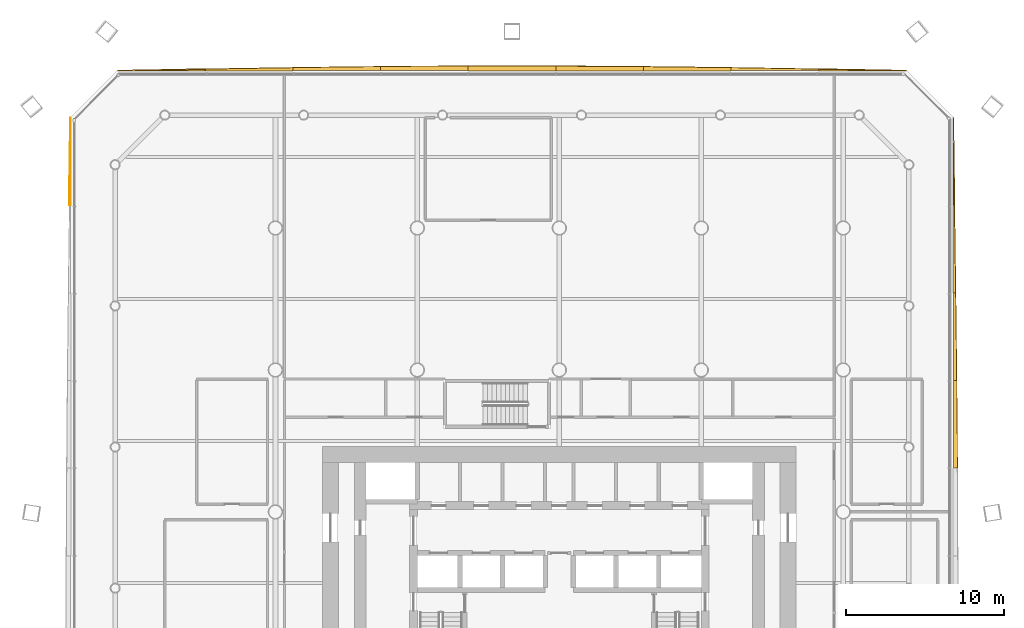
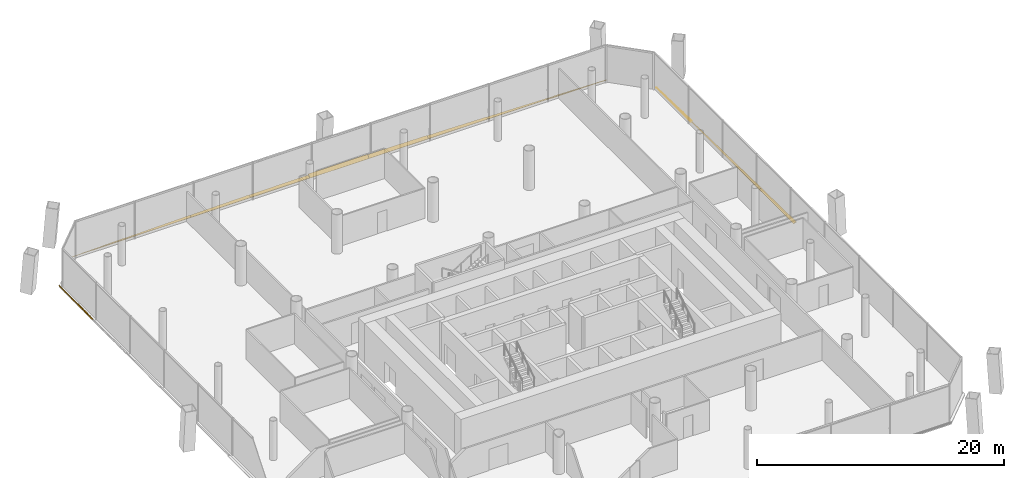
# One storey, part 22 of 22: 14 shading devices.
"""IFC4 building model written with IfcOpenShell, lengths in metres."""

from ifc_helpers import new_model, si_unit, direction, frame, origin, place, context, subcontext, project, spatial, polyline, outline, extrude, material, layer, layer_set, type_object, element, save


model = new_model("IFC4")

# Units and contexts
model_context = context("Model", 3, precision=1e-05, world=origin(), true_north=direction((0.0, 1.0)))
body_context = subcontext(model_context, "Body", "Model", "MODEL_VIEW")
ifc_project = project(units=[si_unit("LENGTHUNIT", "METRE"), si_unit("AREAUNIT", "SQUARE_METRE"), si_unit("VOLUMEUNIT", "CUBIC_METRE"), si_unit("PLANEANGLEUNIT", "RADIAN"), si_unit("MASSUNIT", "GRAM", prefix="KILO")], contexts=[model_context])

# Site, building, storey
site_placement = place(None, origin())
site = spatial("IfcSite", under=ifc_project, at=site_placement, CompositionType="ELEMENT")
building_placement = place(site_placement, origin())
building = spatial("IfcBuilding", under=site, at=building_placement, Name="Tskaro Facet Tower", CompositionType="ELEMENT")
storey_placement = place(building_placement, frame((0.0, 0.0, 18.60009765625)))
storey = spatial("IfcBuildingStorey", under=building, at=storey_placement, Name="L03", CompositionType="ELEMENT", Elevation=18.60009765625)

# Shading devices
ifc_material = material(Name="Bronze anodised aluminium 6063-T6", Category="aluminium")
ifc_layer = layer(ifc_material, 0.06005859375, Name="Bronze anodised aluminium 6063-T6")
ifc_layer_set = layer_set([ifc_layer], Name="Bronze anodised aluminium 6063-T6")
shading_device_type = type_object("IfcShadingDeviceType", Name="Bronze sun blade (FN1)", PredefinedType="USERDEFINED", material=ifc_layer_set)
shading_device_1_placement = place(storey_placement, frame((24.9794921875, 2.77783203125, 0.056396484375), z_axis=(-0.341681059186, 1.0127008e-05, 0.939815967991), x_axis=(3.460207e-06, 0.999999999949, -9.517524e-06)))
element("IfcShadingDevice", 1, at=shading_device_1_placement, inside=storey, type_object=shading_device_type, Name="Fin blade east 6", ObjectType="FIN", PredefinedType="USERDEFINED", context=body_context, shape_type="SweptSolid", body=[
    extrude(outline(polyline([(0.0, 0.0), (5.555419921590128, 0.0), (5.555419921858822, -0.23015093963533023), (4.861083984812042, -0.23740964512779464), (4.166503906295498, -0.244438903362437), (3.472167967559163, -0.2512387143392573), (2.7778320303016653, -0.2577256598309109), (2.083251953898018, -0.26389973983739773), (1.3889160149509663, -0.2699277908134072), (0.6943359383366018, -0.27533011081908315), (-8.211666044209773e-10, -0.28058640179428174), (0.0, 0.0)])), origin(), (0.0, 0.0, -1.0), 0.06005859375),
])
shading_device_2_placement = place(storey_placement, frame((24.974609375, 8.333251953125, 0.05419921875), z_axis=(-0.422999389083, 1.9649989e-05, 0.906129966643), x_axis=(8.311933e-06, 0.999999999807, -1.7805444e-05)))
element("IfcShadingDevice", 2, at=shading_device_2_placement, inside=storey, type_object=shading_device_type, Name="Fin blade east 7", ObjectType="FIN", PredefinedType="USERDEFINED", context=body_context, shape_type="SweptSolid", body=[
    extrude(outline(polyline([(0.0, 0.0), (5.555664061427418, 4.7058305048141744e-21), (5.555664064164483, -0.1694078540415093), (4.861083983298853, -0.17890627651573873), (4.166748045375927, -0.18808020451829252), (3.4724121118000335, -0.19715086118560093), (2.7778320291935943, -0.2058823429152943), (2.0834960915591396, -0.21451055330974228), (1.3889160156174838, -0.22281426923251466), (0.6945800782715003, -0.23089676201885678), (-1.7287167474406172e-09, -0.23875803166876872), (0.0, 0.0)])), origin(), (0.0, 0.0, -1.0), 0.06005859375),
])
shading_device_3_placement = place(storey_placement, frame((24.969970703125, 13.888916015625, 0.0517578125), z_axis=(-0.500330153553, -1.9680916e-05, 0.86583470539), x_axis=(-9.846956e-06, 0.999999999806, 1.704042e-05)))
element("IfcShadingDevice", 3, at=shading_device_3_placement, inside=storey, type_object=shading_device_type, Name="Fin blade east 8", ObjectType="FIN", PredefinedType="USERDEFINED", context=body_context, shape_type="SweptSolid", body=[
    extrude(outline(polyline([(0.0, 0.0), (5.555419920799086, 0.0), (5.555419923370335, -0.0919981721317703), (4.8610839813688225, -0.10314090933944052), (4.166748045931613, -0.11419441203736744), (3.47216796570919, -0.125125763818876), (2.7778320326760215, -0.13596788109064126), (2.0832519531014237, -0.14635431110340813), (1.388916015907996, -0.15707427745875502), (0.6943359387374407, -0.16724932204536025), (-1.96842089531271e-09, -0.1773022157155471), (0.0, 0.0)])), origin(), (0.0, 0.0, -1.0), 0.06005859375),
])
shading_device_4_placement = place(storey_placement, frame((24.965576171875, 19.4443359375, 0.049072265625), z_axis=(-0.573294676561, -3.622461e-06, 0.819349262411), x_axis=(-2.076738e-06, 0.999999999993, 2.968061e-06)))
element("IfcShadingDevice", 4, at=shading_device_4_placement, inside=storey, type_object=shading_device_type, Name="Fin blade east 9", ObjectType="FIN", PredefinedType="USERDEFINED", context=body_context, shape_type="SweptSolid", body=[
    extrude(outline(polyline([(0.0, 0.0), (5.555664062463549, 1.1764576262035436e-21), (4.861328125194549, -0.012260465180531185), (4.166748047300553, -0.02452093036106237), (3.472412108799913, -0.036841467461967425), (2.7778320309059152, -0.04910193264249861), (2.083496094143932, -0.06116236138201018), (1.3889160155253104, -0.0732828620418956), (0.694580078038703, -0.08520332626076144), (-7.290267854585699e-11, -0.09712379047962724), (0.0, 0.0)])), origin(), (0.0, 0.0, -1.0), 0.06005859375),
])
shading_device_5_placement = place(storey_placement, frame((22.0, 27.9794921875, 0.056396484375), z_axis=(3.7690227e-05, -0.340474905356, 0.940253602706), x_axis=(-0.99999999929, -1.2832576e-05, 3.5438371e-05)))
element("IfcShadingDevice", 5, at=shading_device_5_placement, inside=storey, type_object=shading_device_type, Name="Fin blade north 1", ObjectType="FIN", PredefinedType="USERDEFINED", context=body_context, shape_type="SweptSolid", body=[
    extrude(outline(polyline([(0.0, 0.0), (5.555664058553941, 0.0), (5.555664066461353, -0.10913065770840528), (4.861083984223334, -0.0958440471179652), (4.166748042610141, -0.08255743652752512), (3.4721679635050755, -0.06904127183469877), (2.7778320281577895, -0.055295553039486176), (2.083251952185677, -0.04154983424427358), (1.3889160168383914, -0.02780411544906098), (0.6943359322143327, -0.013975272897598853), (0.0, 0.0)])), origin(), (0.0, 0.0, -1.0), 0.06005859375),
])
shading_device_6_placement = place(storey_placement, frame((16.4443359375, 27.974609375, 0.05419921875), z_axis=(7.003408e-06, -0.422961528258, 0.906147640048), x_axis=(-0.999999999975, -2.962172e-06, 6.346121e-06)))
element("IfcShadingDevice", 6, at=shading_device_6_placement, inside=storey, type_object=shading_device_type, Name="Fin blade north 2", ObjectType="FIN", PredefinedType="USERDEFINED", context=body_context, shape_type="SweptSolid", body=[
    extrude(outline(polyline([(0.0, 0.0), (5.55541992173876, 2.352811854830518e-21), (5.555419922130088, -0.21287339833655433), (4.86108398403403, -0.2015166035493674), (4.166503906036163, -0.18993858131099134), (3.472167968560319, -0.1778148420783749), (2.777587890459479, -0.16569110284575844), (2.0832519528806612, -0.1530216466189015), (1.3886718745738762, -0.13980647339780417), (0.6943359384414312, -0.12669456226856912), (-6.651941117578467e-11, -0.1131548995044204), (0.0, 0.0)])), origin(), (0.0, 0.0, -1.0), 0.06005859375),
])
shading_device_7_placement = place(storey_placement, frame((10.888916015625, 27.969970703125, 0.0517578125), z_axis=(1.2048123e-05, -0.500309371377, 0.86584671436), x_axis=(-0.999999999927, -6.027789e-06, 1.0431828e-05)))
element("IfcShadingDevice", 7, at=shading_device_7_placement, inside=storey, type_object=shading_device_type, Name="Fin blade north 3", ObjectType="FIN", PredefinedType="USERDEFINED", context=body_context, shape_type="SweptSolid", body=[
    extrude(outline(polyline([(0.0, 0.0), (5.555664062096778, 0.0), (5.555664062586698, -0.3000369061436989), (4.86108398496837, -0.29216369863724395), (4.16674804689982, -0.28395695693014555), (3.4721679675275063, -0.27487175846374695), (2.777832031723431, -0.2653637832813217), (2.0832519516723362, -0.2554001280556229), (1.3889160151894793, -0.24501369611389745), (0.6945800791030458, -0.23408234161351524), (-1.2304075960295158e-09, -0.22269530706985946), (0.0, 0.0)])), origin(), (0.0, 0.0, -1.0), 0.06005859375),
])
shading_device_8_placement = place(storey_placement, frame((5.333251953125, 27.965576171875, 0.049072265625), z_axis=(-3.933017e-06, -0.573522164145, 0.819190043408), x_axis=(-0.999999999992, 2.255672e-06, -3.221888e-06)))
element("IfcShadingDevice", 8, at=shading_device_8_placement, inside=storey, type_object=shading_device_type, Name="Fin blade north 4", ObjectType="FIN", PredefinedType="USERDEFINED", context=body_context, shape_type="SweptSolid", body=[
    extrude(outline(polyline([(0.0, 0.0), (5.555419921832033, 0.0), (5.555419921935593, -0.3605940492104593), (4.861083984440108, -0.357613933101282), (4.166503906240707, -0.3537537841653121), (3.4721679683514974, -0.3493536200313494), (2.777587891095668, -0.34413340058018055), (2.083251952812732, -0.33831318842143254), (1.3889160155522828, -0.3320129385742781), (0.6943359375879198, -0.3248326559003311), (-6.62541371378009e-11, -0.31711235802839133), (0.0, 0.0)])), origin(), (0.0, 0.0, -1.0), 0.06005859375),
])
shading_device_9_placement = place(storey_placement, frame((-0.22216796875, 27.96142578125, 0.0458984375), z_axis=(0.0, -0.64271610513, 0.76610443688), x_axis=(-1.0, 0.0, 0.0)))
element("IfcShadingDevice", 9, at=shading_device_9_placement, inside=storey, type_object=shading_device_type, Name="Fin blade north 5", ObjectType="FIN", PredefinedType="USERDEFINED", context=body_context, shape_type="SweptSolid", body=[
    extrude(outline(polyline([(0.0, 0.0), (5.5556640625, 0.0), (5.5556640625, -0.3855818396804682), (4.861083984375, -0.3881765291899766), (4.166748046875, -0.3900833180442069), (3.47216796875, -0.3913022062431591), (2.77783203125, -0.39164615657079815), (2.77783203125, -0.39164615657079815), (2.08349609375, -0.3913022062431591), (1.388916015625, -0.3900833180442069), (0.694580078125, -0.3881765291899766), (0.0, -0.3855818396804682), (0.0, 0.0)])), origin(), (0.0, 0.0, -1.0), 0.06005859375),
])
shading_device_10_placement = place(storey_placement, frame((-5.77783203125, 27.9794921875, 0.056396484375), z_axis=(1.510024e-06, -0.341714318272, 0.939803875649), x_axis=(-0.999999999999, -5.15997e-07, 1.419127e-06)))
element("IfcShadingDevice", 10, at=shading_device_10_placement, inside=storey, type_object=shading_device_type, Name="Fin blade north 6", ObjectType="FIN", PredefinedType="USERDEFINED", context=body_context, shape_type="SweptSolid", body=[
    extrude(outline(polyline([(0.0, 0.0), (5.555419921868666, 0.0), (5.55541992191293, -0.2764147375155055), (4.861083984256548, -0.2831311265856626), (4.166503906227119, -0.2893886270446623), (3.47216796885415, -0.2948743682396913), (2.7778320312606914, -0.3000472387819071), (2.083251953073693, -0.3044483500601523), (1.3889160157636462, -0.30839057272724), (0.6943359373876185, -0.3117070540887013), (1.4517828236927513e-11, -0.3143352025334265), (0.0, 0.0)])), origin(), (0.0, 0.0, -1.0), 0.06005859375),
])
shading_device_11_placement = place(storey_placement, frame((-11.333251953125, 27.974609375, 0.05419921875), z_axis=(-3.359465e-06, -0.423004656629, 0.906127507837), x_axis=(-0.999999999994, 1.421069e-06, -3.044103e-06)))
element("IfcShadingDevice", 11, at=shading_device_11_placement, inside=storey, type_object=shading_device_type, Name="Fin blade north 7", ObjectType="FIN", PredefinedType="USERDEFINED", context=body_context, shape_type="SweptSolid", body=[
    extrude(outline(polyline([(0.0, 0.0), (5.55566406246865, 0.0), (5.555664062314971, -0.21287340075494454), (4.861083984694113, -0.22358120938117734), (4.166748046608121, -0.23417106809256377), (3.4724121093146287, -0.24411193648926588), (2.777832031445445, -0.25350708719253157), (2.0834960938543188, -0.26268101535970295), (1.3889160156875018, -0.271309225833438), (0.6945800778480506, -0.27917049607764227), (-2.201505283525234e-10, -0.28670727116450434), (0.0, 0.0)])), origin(), (0.0, 0.0, -1.0), 0.06005859375),
])
shading_device_12_placement = place(storey_placement, frame((-16.888916015625, 27.969970703125, 0.0517578125), z_axis=(1.5998487e-05, -0.500299714472, 0.865852294242), x_axis=(-0.999999999872, -8.004039e-06, 1.3852327e-05)))
element("IfcShadingDevice", 12, at=shading_device_12_placement, inside=storey, type_object=shading_device_type, Name="Fin blade north 8", ObjectType="FIN", PredefinedType="USERDEFINED", context=body_context, shape_type="SweptSolid", body=[
    extrude(outline(polyline([(0.0, 0.0), (5.555419921164041, 0.0), (5.555419922242953, -0.1184645493799383), (4.861083985201818, -0.13257619645981147), (4.166748046732879, -0.1463543103343897), (3.4721679676389705, -0.1601324242089679), (2.777832029696337, -0.17336561515795024), (2.0832519550369573, -0.18617602666633074), (1.3889160142387147, -0.19874215120472316), (0.6943359367237252, -0.21088549630251374), (-1.5941002820749943e-09, -0.22269530819500935), (0.0, 0.0)])), origin(), (0.0, 0.0, -1.0), 0.06005859375),
])
shading_device_13_placement = place(storey_placement, frame((-22.4443359375, 27.965576171875, 0.049072265625), z_axis=(-5.51327e-06, -0.573268017483, 0.819367914982), x_axis=(-0.999999999985, 3.160581e-06, -4.517396e-06)))
element("IfcShadingDevice", 13, at=shading_device_13_placement, inside=storey, type_object=shading_device_type, Name="Fin blade north 9", ObjectType="FIN", PredefinedType="USERDEFINED", context=body_context, shape_type="SweptSolid", body=[
    extrude(outline(polyline([(0.0, 0.0), (5.555664062415564, 0.0), (4.861328125787377, -0.01598066017013024), (4.166748046659688, -0.03190123735747172), (3.472412109259874, -0.04768185653273038), (2.7778320312350635, -0.06346247570798905), (2.0834960938352505, -0.07924309488324768), (1.3889160150388138, -0.09482367306363476), (0.6945800779702541, -0.11026429323193901), (-1.6367474351404247e-10, -0.12516487339841725), (0.0, 0.0)])), origin(), (0.0, 0.0, -1.0), 0.06005859375),
])
shading_device_14_placement = place(storey_placement, frame((-30.9794921875, 25.0, 0.056396484375), z_axis=(0.340244127547, 1.892597e-06, 0.9403371383), x_axis=(6.43945e-07, -0.999999999998, 1.779679e-06)))
element("IfcShadingDevice", 14, at=shading_device_14_placement, inside=storey, type_object=shading_device_type, Name="Fin blade west 1", ObjectType="FIN", PredefinedType="USERDEFINED", context=body_context, shape_type="SweptSolid", body=[
    extrude(outline(polyline([(0.0, 0.0), (5.555664062490051, -5.882288131017718e-22), (5.555664062508624, -0.08464324075609399), (4.861083984590504, -0.07429731709453807), (4.166748046862893, -0.06386832601903003), (3.4721679686674967, -0.053209760446866344), (2.7778320310970988, -0.042551194874702644), (2.0832519529017013, -0.03189262930253895), (1.3889160157657954, -0.021317131144327386), (0.6943359375703979, -0.010658565572163693), (0.0, 0.0)])), origin(), (0.0, 0.0, -1.0), 0.06005859375),
])

save(model, "model.ifc")
